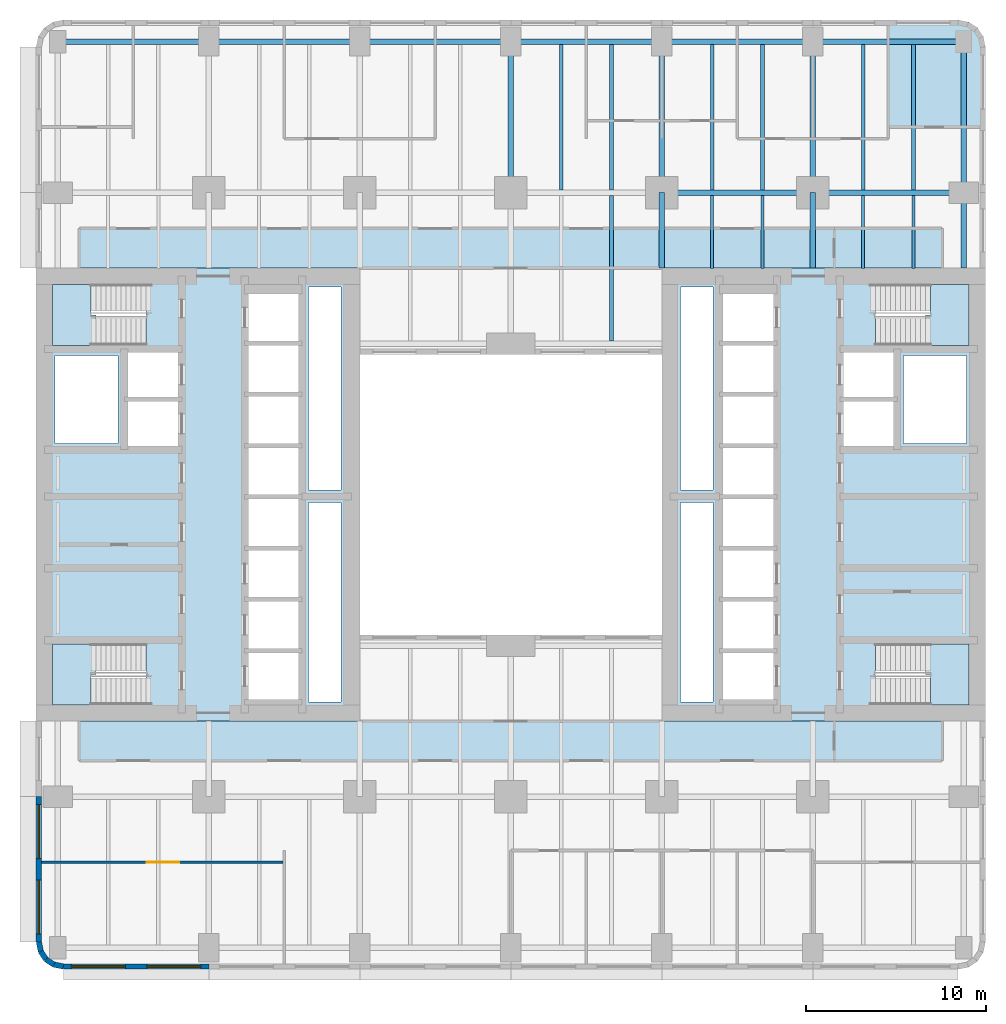
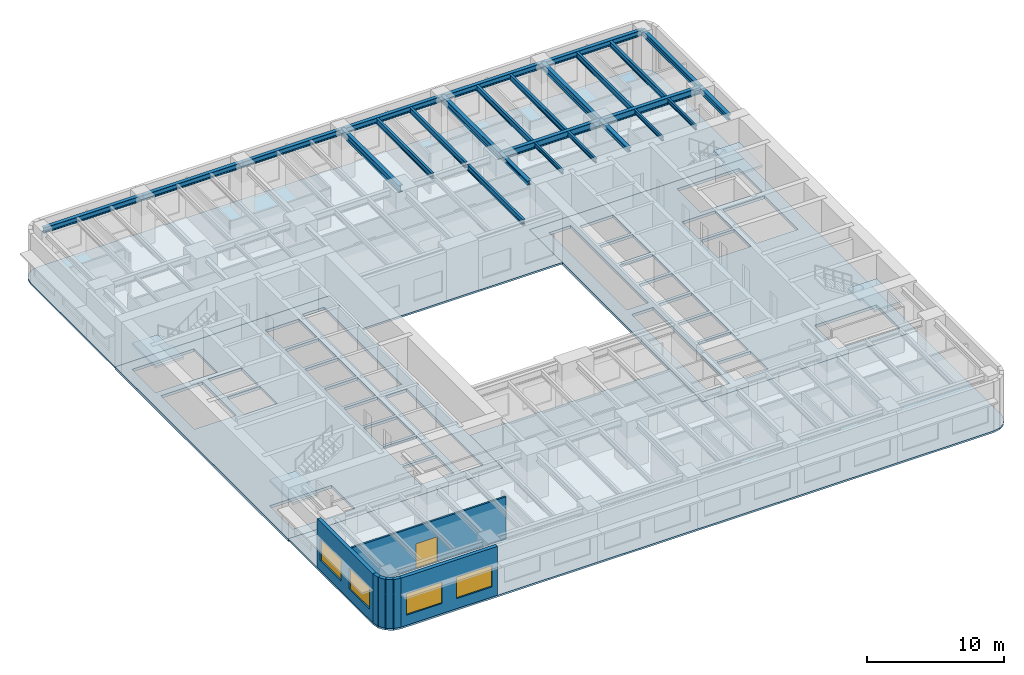
# One storey, part 2 of 14: 26 beams, 8 slabs, 7 walls, 4 windows, 1 door, 5 openings, 4 elements without a shape of their own.
"""IFC4 building model written with IfcOpenShell, lengths in metres."""

import ifcopenshell
import ifcopenshell.guid

model = None  # the IFC model being written
_history = None  # IfcOwnerHistory: only IFC2X3 demands one
_inside = {}  # id of a spatial element -> (the spatial element, [elements in it])
_under = {}  # id of a project, library or spatial element -> (it, [spatial elements below it])
_declared = {}  # id of a project -> (the project, [libraries it declares])
_typed = {}  # id of a type object -> (the type object, [elements of that type])
_made_of = {}  # id of a material, layer set ... -> (it, [elements and type objects made of it])


def new_model(schema):
    """Start an empty IFC model of exactly this schema.

    Asked for "IFC4X3", IfcOpenShell would pick the latest addendum, in which some entities
    have other attributes; the version numbers below select the first issue.
    IFC2X3 requires an IfcOwnerHistory on every rooted entity: one is made here for all.
    """
    global model, _history
    if schema == "IFC4X3":
        model = ifcopenshell.file(schema_version=(4, 3, 0, 0))
    else:
        model = ifcopenshell.file(schema=schema)
    _inside.clear()
    _under.clear()
    _declared.clear()
    _typed.clear()
    _made_of.clear()
    _history = None
    if model.schema == "IFC2X3":
        org = make("IfcOrganization", Name="unknown")
        user = make(
            "IfcPersonAndOrganization",
            ThePerson=make("IfcPerson", FamilyName="unknown"),
            TheOrganization=org,
        )
        app = make(
            "IfcApplication",
            ApplicationDeveloper=org,
            Version="unknown",
            ApplicationFullName="unknown",
            ApplicationIdentifier="unknown",
        )
        _history = make(
            "IfcOwnerHistory",
            OwningUser=user,
            OwningApplication=app,
            ChangeAction="ADDED",
            CreationDate=0,
        )
    return model


def make(cls, **values):
    """One entity of the class cls with the attributes given. An attribute that is None is left unset."""
    return model.create_entity(
        cls, **{name: value for name, value in values.items() if value is not None}
    )


def rooted(cls, **values):
    """An entity with a GlobalId (a new one), such as an element, a storey or a relation."""
    return make(cls, GlobalId=ifcopenshell.guid.new(), OwnerHistory=_history, **values)


def si_unit(unit_type, name, prefix=None):
    """IfcSIUnit, for example si_unit("LENGTHUNIT", "METRE", prefix="MILLI")."""
    return make("IfcSIUnit", UnitType=unit_type, Prefix=prefix, Name=name)


def assignment(units):
    """IfcUnitAssignment: the units of a project."""
    return None if units is None else make("IfcUnitAssignment", Units=units)


def point(xyz):
    """IfcCartesianPoint."""
    return None if xyz is None else make("IfcCartesianPoint", Coordinates=xyz)


def direction(xyz):
    """IfcDirection."""
    return None if xyz is None else make("IfcDirection", DirectionRatios=xyz)


def frame(location, z_axis=None, x_axis=None):
    """IfcAxis2Placement3D, a coordinate frame: its origin and axes. An axis left out is left unset."""
    return make(
        "IfcAxis2Placement3D",
        Location=point(location),
        Axis=direction(z_axis),
        RefDirection=direction(x_axis),
    )


def frame_2d(location, x_axis=None):
    """IfcAxis2Placement2D, a coordinate frame in the plane: its origin and x axis."""
    return make(
        "IfcAxis2Placement2D", Location=point(location), RefDirection=direction(x_axis)
    )


def origin():
    """The frame at (0, 0, 0) with its axes left unset."""
    return frame((0.0, 0.0, 0.0))


def origin_2d():
    """The frame at (0, 0) in the plane with its x axis left unset."""
    return frame_2d((0.0, 0.0))


def place(relative_to, where):
    """IfcLocalPlacement: puts the frame where relative to a parent placement (None: the world)."""
    return make(
        "IfcLocalPlacement", PlacementRelTo=relative_to, RelativePlacement=where
    )


def context(
    kind, dimensions, precision=None, world=None, true_north=None, identifier=None
):
    """IfcGeometricRepresentationContext, for example the 3D "Model" context."""
    return make(
        "IfcGeometricRepresentationContext",
        ContextIdentifier=identifier,
        ContextType=kind,
        CoordinateSpaceDimension=dimensions,
        Precision=precision,
        WorldCoordinateSystem=world,
        TrueNorth=true_north,
    )


def subcontext(parent, identifier, kind, view, scale=None):
    """IfcGeometricRepresentationSubContext, for example "Body" below "Model"."""
    return make(
        "IfcGeometricRepresentationSubContext",
        ContextIdentifier=identifier,
        ContextType=kind,
        ParentContext=parent,
        TargetScale=scale,
        TargetView=view,
    )


def project(units=None, contexts=None):
    """IfcProject with its units and contexts."""
    return rooted(
        "IfcProject",
        Name="project",
        RepresentationContexts=contexts,
        UnitsInContext=assignment(units),
    )


def spatial(cls, under=None, at=None, **own):
    """A site, building, storey or space (cls), placed at a placement, below another one or the project."""
    s = rooted(cls, ObjectPlacement=at, **own)
    if under is not None:
        _under.setdefault(under.id(), (under, []))[1].append(s)
    return s


def polyline(points):
    """IfcPolyline through the points."""
    return make("IfcPolyline", Points=[point(p) for p in points])


def profile(cls, at=None, kind="AREA", **sizes):
    """A parametric profile (cls). Its sizes go by their IFC names, for example OverallWidth=200.0."""
    return make(cls, ProfileType=kind, Position=at, **sizes)


def rectangle(**sizes):
    """IfcRectangleProfileDef."""
    return profile("IfcRectangleProfileDef", **sizes)


def i_section(**sizes):
    """IfcIShapeProfileDef."""
    return profile("IfcIShapeProfileDef", **sizes)


def outline(outer, holes=None, kind="AREA"):
    """IfcArbitraryClosedProfileDef: a profile drawn as a closed curve; with holes, ...WithVoids."""
    if holes is None:
        return make("IfcArbitraryClosedProfileDef", ProfileType=kind, OuterCurve=outer)
    return make(
        "IfcArbitraryProfileDefWithVoids",
        ProfileType=kind,
        OuterCurve=outer,
        InnerCurves=holes,
    )


def extrude(swept, where, along, depth):
    """IfcExtrudedAreaSolid: the profile swept, set in the frame where, extruded along a direction by depth."""
    return make(
        "IfcExtrudedAreaSolid",
        SweptArea=swept,
        Position=where,
        ExtrudedDirection=direction(along),
        Depth=depth,
    )


def shape(context_of_items, identifier, shape_type, items):
    """IfcShapeRepresentation: the items that make up one representation, for example the "Body"."""
    return make(
        "IfcShapeRepresentation",
        ContextOfItems=context_of_items,
        RepresentationIdentifier=identifier,
        RepresentationType=shape_type,
        Items=items,
    )


def material(Name=None, Category=None):
    """IfcMaterial."""
    return make("IfcMaterial", Name=Name, Category=Category)


def layer(
    of_material, thickness, ventilated=None, Name=None, Category=None, Priority=None
):
    """IfcMaterialLayer: one layer of a wall or slab, of a material (None: an air gap)."""
    return make(
        "IfcMaterialLayer",
        Material=of_material,
        LayerThickness=thickness,
        IsVentilated=ventilated,
        Name=Name,
        Category=Category,
        Priority=Priority,
    )


def layer_set(layers, Name=None):
    """IfcMaterialLayerSet."""
    return make("IfcMaterialLayerSet", MaterialLayers=layers, LayerSetName=Name)


def material_profile(
    of_material, cross_section, Name=None, Category=None, Priority=None
):
    """IfcMaterialProfile: a cross section and its material."""
    return make(
        "IfcMaterialProfile",
        Name=Name,
        Material=of_material,
        Profile=cross_section,
        Priority=Priority,
        Category=Category,
    )


def profile_set(profiles, Name=None, composite=None):
    """IfcMaterialProfileSet."""
    return make(
        "IfcMaterialProfileSet",
        Name=Name,
        MaterialProfiles=profiles,
        CompositeProfile=composite,
    )


def made_of(thing, what):
    """Note that an element or type object is made of a material, layer set ...; save() writes the relation."""
    if what is not None:
        _made_of.setdefault(what.id(), (what, []))[1].append(thing)
    return thing


def type_object(cls, material=None, **own):
    """A type object (cls), such as IfcWallType, which elements share."""
    return made_of(rooted(cls, **own), material)


def element(
    cls,
    number,
    at=None,
    inside=None,
    cuts=None,
    type_object=None,
    material=None,
    context=None,
    identifier="Body",
    shape_type=None,
    held_by="IfcProductDefinitionShape",
    body=None,
    shapes=None,
    **own,
):
    """One element of the class cls, such as IfcWall. Its Tag is "e" and its number.

    at: its placement. inside: the storey or other place that contains it. cuts: it is an
    opening in that element (IfcRelVoidsElement). A single representation is given by context,
    identifier, shape_type and body (its items); several are given by shapes. held_by: the class
    of the entity that holds the representations. save() writes the other relations.
    """
    e = rooted(cls, Tag="e%d" % number, ObjectPlacement=at, **own)
    if body is not None:
        shapes = [shape(context, identifier, shape_type, body)]
    if shapes is not None:
        e.Representation = make(held_by, Representations=shapes)
    if inside is not None:
        _inside.setdefault(inside.id(), (inside, []))[1].append(e)
    if cuts is not None:
        rooted(
            "IfcRelVoidsElement", RelatingBuildingElement=cuts, RelatedOpeningElement=e
        )
    if type_object is not None:
        _typed.setdefault(type_object.id(), (type_object, []))[1].append(e)
    return made_of(e, material)


def fill(opening, filler):
    """IfcRelFillsElement: the door or window that sits in an opening."""
    return rooted(
        "IfcRelFillsElement",
        RelatingOpeningElement=opening,
        RelatedBuildingElement=filler,
    )


def aggregate(whole, parts):
    """IfcRelAggregates: a whole, such as a stair, and the parts it consists of."""
    return rooted("IfcRelAggregates", RelatingObject=whole, RelatedObjects=parts)


def save(model, path):
    """Write the relations noted so far, then the file.

    IfcRelAggregates (storeys below a building ...), IfcRelContainedInSpatialStructure (elements
    in a storey), IfcRelDefinesByType, IfcRelAssociatesMaterial and IfcRelDeclares: one each for
    every whole, place, type object, material and project.
    """
    for whole, parts in _under.values():
        aggregate(whole, parts)
    for where, things in _inside.values():
        rooted(
            "IfcRelContainedInSpatialStructure",
            RelatedElements=things,
            RelatingStructure=where,
        )
    for kind, things in _typed.values():
        rooted("IfcRelDefinesByType", RelatedObjects=things, RelatingType=kind)
    for what, things in _made_of.values():
        rooted("IfcRelAssociatesMaterial", RelatedObjects=things, RelatingMaterial=what)
    for by, libraries in _declared.values():
        rooted("IfcRelDeclares", RelatingContext=by, RelatedDefinitions=libraries)
    model.write(path)


model = new_model("IFC4")

# Units and contexts
model_context = context("Model", 3, precision=1e-05, world=origin(), true_north=direction((0.0, 1.0)))
body_context = subcontext(model_context, "Body", "Model", "MODEL_VIEW")
ifc_project = project(units=[si_unit("LENGTHUNIT", "METRE"), si_unit("AREAUNIT", "SQUARE_METRE"), si_unit("VOLUMEUNIT", "CUBIC_METRE"), si_unit("PLANEANGLEUNIT", "RADIAN"), si_unit("MASSUNIT", "GRAM", prefix="KILO")], contexts=[model_context])

# Site, building, storey
site_placement = place(None, origin())
site = spatial("IfcSite", under=ifc_project, at=site_placement, CompositionType="ELEMENT")
building_placement = place(site_placement, origin())
building = spatial("IfcBuilding", under=site, at=building_placement, Name="Claustro Exchange Tower", CompositionType="ELEMENT")
storey_placement = place(building_placement, frame((0.0, 0.0, 41.39990234375)))
storey = spatial("IfcBuildingStorey", under=building, at=storey_placement, Name="L09", CompositionType="ELEMENT", Elevation=41.39990234375)

# Beams
ifc_material_1 = material(Name="Steel S355", Category="steel")
ifc_material_profile_1 = material_profile(ifc_material_1, i_section(OverallWidth=0.300048828125, OverallDepth=0.60009765625, WebThickness=0.015380859375, FlangeThickness=0.030029296875, FilletRadius=0.027099609375, at=origin_2d()), Name="HE 600 B")
ifc_profile_set_1 = profile_set([ifc_material_profile_1], Name="Steel S355")
beam_type_1 = type_object("IfcBeamType", Name="B1 HE 600 B floor girder", PredefinedType="BEAM", material=ifc_profile_set_1)
for number, where, z_axis, x_axis, name in (
    (1, (25.199951171875, 42.0, 4.0400390625), (0.0, 1.0, 0.0), (-1.0, 0.0, 0.0), "Beam B1 L10"),
    (2, (33.60009765625, 42.0, 4.0400390625), (0.0, 1.0, 0.0), (-1.0, 0.0, 0.0), "Beam B1 L10"),
    (3, (42.0, 42.0, 4.0400390625), (0.0, 1.0, 0.0), (-1.0, 0.0, 0.0), "Beam B1 L10"),
    (4, (33.60009765625, 42.0, 4.0400390625), (1.0, 0.0, 0.0), (0.0, 1.0, 0.0), "Beam B1 L10"),
    (5, (42.0, 42.0, 4.0400390625), (1.0, 0.0, 0.0), (0.0, 1.0, 0.0), "Beam B1 L10"),
):
    element("IfcBeam", number, at=place(storey_placement, frame(where, z_axis=z_axis, x_axis=x_axis)), inside=storey, type_object=beam_type_1, Name=name, PredefinedType="BEAM", context=body_context, shape_type="SweptSolid", body=[
        extrude(i_section(OverallWidth=0.300048828125, OverallDepth=0.60009765625, WebThickness=0.015380859375, FlangeThickness=0.030029296875, FilletRadius=0.027099609375, at=origin_2d()), origin(), (0.0, 0.0, 1.0), 8.39990234375),
    ])
ifc_material_2 = material(Name="Steel S355", Category="steel")
ifc_material_profile_2 = material_profile(ifc_material_2, i_section(OverallWidth=0.169921875, OverallDepth=0.360107421875, WebThickness=0.008056640625, FlangeThickness=0.0126953125, FilletRadius=0.01806640625, at=origin_2d()), Name="IPE 360")
ifc_profile_set_2 = profile_set([ifc_material_profile_2], Name="Steel S355")
beam_type_2 = type_object("IfcBeamType", Name="B16 IPE 360 short-span beam", PredefinedType="BEAM", material=ifc_profile_set_2)
for number, where, z_axis, x_axis, name in (
    (6, (36.39990234375, 37.7900390625, 4.16015625), (0.0, 1.0, 0.0), (-1.0, 0.0, 0.0), "Beam B16 L10"),
    (7, (39.199951171875, 37.7900390625, 4.16015625), (0.0, 1.0, 0.0), (-1.0, 0.0, 0.0), "Beam B16 L10"),
    (8, (44.800048828125, 37.7900390625, 4.16015625), (0.0, 1.0, 0.0), (-1.0, 0.0, 0.0), "Beam B16 L10"),
    (9, (47.60009765625, 37.7900390625, 4.16015625), (0.0, 1.0, 0.0), (-1.0, 0.0, 0.0), "Beam B16 L10"),
):
    element("IfcBeam", number, at=place(storey_placement, frame(where, z_axis=z_axis, x_axis=x_axis)), inside=storey, type_object=beam_type_2, Name=name, PredefinedType="BEAM", context=body_context, shape_type="SweptSolid", body=[
        extrude(i_section(OverallWidth=0.169921875, OverallDepth=0.360107421875, WebThickness=0.008056640625, FlangeThickness=0.0126953125, FilletRadius=0.01806640625, at=origin_2d()), origin(), (0.0, 0.0, 1.0), 4.06005859375),
    ])
ifc_material_3 = material(Name="Steel S355", Category="steel")
ifc_material_profile_3 = material_profile(ifc_material_3, i_section(OverallWidth=0.199951171875, OverallDepth=0.5, WebThickness=0.01025390625, FlangeThickness=0.01611328125, FilletRadius=0.02099609375, at=origin_2d()), Name="IPE 500")
ifc_profile_set_3 = profile_set([ifc_material_profile_3], Name="Steel S355")
beam_type_3 = type_object("IfcBeamType", Name="B2 IPE 500 secondary beam", PredefinedType="BEAM", material=ifc_profile_set_3)
for number, where, z_axis, x_axis, name in (
    (10, (30.800048828125, 33.75, 4.090087890625), (0.0, 1.0, 0.0), (-1.0, 0.0, 0.0), "Beam B2 L10"),
    (11, (28.0, 42.14990234375, 4.090087890625), (0.0, 1.0, 0.0), (-1.0, 0.0, 0.0), "Beam B2 L10"),
    (12, (30.800048828125, 42.14990234375, 4.090087890625), (0.0, 1.0, 0.0), (-1.0, 0.0, 0.0), "Beam B2 L10"),
    (13, (36.39990234375, 42.14990234375, 4.090087890625), (0.0, 1.0, 0.0), (-1.0, 0.0, 0.0), "Beam B2 L10"),
    (14, (39.199951171875, 42.14990234375, 4.090087890625), (0.0, 1.0, 0.0), (-1.0, 0.0, 0.0), "Beam B2 L10"),
    (15, (44.800048828125, 42.14990234375, 4.090087890625), (0.0, 1.0, 0.0), (-1.0, 0.0, 0.0), "Beam B2 L10"),
    (16, (47.60009765625, 42.14990234375, 4.090087890625), (0.0, 1.0, 0.0), (-1.0, 0.0, 0.0), "Beam B2 L10"),
):
    element("IfcBeam", number, at=place(storey_placement, frame(where, z_axis=z_axis, x_axis=x_axis)), inside=storey, type_object=beam_type_3, Name=name, PredefinedType="BEAM", context=body_context, shape_type="SweptSolid", body=[
        extrude(i_section(OverallWidth=0.199951171875, OverallDepth=0.5, WebThickness=0.01025390625, FlangeThickness=0.01611328125, FilletRadius=0.02099609375, at=origin_2d()), origin(), (0.0, 0.0, 1.0), 8.10009765625),
    ])
ifc_material_4 = material(Name="Steel S355", Category="steel")
ifc_material_profile_4 = material_profile(ifc_material_4, i_section(OverallWidth=0.300048828125, OverallDepth=0.360107421875, WebThickness=0.012451171875, FlangeThickness=0.0224609375, FilletRadius=0.027099609375, at=origin_2d()), Name="HE 360 B")
ifc_profile_set_4 = profile_set([ifc_material_profile_4], Name="Steel S355")
beam_type_4 = type_object("IfcBeamType", Name="B29 HE 360 B column to core link beam", PredefinedType="BEAM", material=ifc_profile_set_4)
for number, where, z_axis, x_axis, name in (
    (17, (33.60009765625, 37.800048828125, 4.16015625), (0.0, 1.0, 0.0), (-1.0, 0.0, 0.0), "Beam B29 L10"),
    (18, (42.0, 37.800048828125, 4.16015625), (0.0, 1.0, 0.0), (-1.0, 0.0, 0.0), "Beam B29 L10"),
):
    element("IfcBeam", number, at=place(storey_placement, frame(where, z_axis=z_axis, x_axis=x_axis)), inside=storey, type_object=beam_type_4, Name=name, PredefinedType="BEAM", context=body_context, shape_type="SweptSolid", body=[
        extrude(i_section(OverallWidth=0.300048828125, OverallDepth=0.360107421875, WebThickness=0.012451171875, FlangeThickness=0.0224609375, FilletRadius=0.027099609375, at=origin_2d()), origin(), (0.0, 0.0, 1.0), 4.199951171875),
    ])
ifc_material_5 = material(Name="Steel S355", Category="steel")
ifc_material_profile_5 = material_profile(ifc_material_5, i_section(OverallWidth=0.300048828125, OverallDepth=0.5, WebThickness=0.014404296875, FlangeThickness=0.028076171875, FilletRadius=0.027099609375, at=origin_2d()), Name="HE 500 B")
ifc_profile_set_5 = profile_set([ifc_material_profile_5], Name="Steel S355")
beam_type_5 = type_object("IfcBeamType", Name="B3 HE 500 B spandrel edge girder", PredefinedType="SPANDREL", material=ifc_profile_set_5)
beam_1_placement = place(storey_placement, frame((50.39990234375, 37.800048828125, 4.090087890625), z_axis=(0.0, 1.0, 0.0), x_axis=(-1.0, 0.0, 0.0)))
element("IfcBeam", 19, at=beam_1_placement, inside=storey, type_object=beam_type_5, Name="Beam B3 L10", PredefinedType="SPANDREL", context=body_context, shape_type="SweptSolid", body=[
    extrude(i_section(OverallWidth=0.300048828125, OverallDepth=0.5, WebThickness=0.014404296875, FlangeThickness=0.028076171875, FilletRadius=0.027099609375, at=origin_2d()), origin(), (0.0, 0.0, 1.0), 4.199951171875),
])
for number, where, z_axis, x_axis, name in (
    (20, (50.39990234375, 42.0, 4.090087890625), (0.0, 1.0, 0.0), (-1.0, 0.0, 0.0), "Beam B3 L10"),
    (21, (0.0, 50.39990234375, 4.090087890625), (1.0, 0.0, 0.0), (0.0, 1.0, 0.0), "Beam B3 L10"),
):
    element("IfcBeam", number, at=place(storey_placement, frame(where, z_axis=z_axis, x_axis=x_axis)), inside=storey, type_object=beam_type_5, Name=name, PredefinedType="SPANDREL", context=body_context, shape_type="SweptSolid", body=[
        extrude(i_section(OverallWidth=0.300048828125, OverallDepth=0.5, WebThickness=0.014404296875, FlangeThickness=0.028076171875, FilletRadius=0.027099609375, at=origin_2d()), origin(), (0.0, 0.0, 1.0), 8.39990234375),
    ])
beam_2_placement = place(storey_placement, frame((8.39990234375, 50.39990234375, 4.090087890625), z_axis=(1.0, 0.0, 0.0), x_axis=(0.0, 1.0, 0.0)))
element("IfcBeam", 22, at=beam_2_placement, inside=storey, type_object=beam_type_5, Name="Beam B3 L10", PredefinedType="SPANDREL", context=body_context, shape_type="SweptSolid", body=[
    extrude(i_section(OverallWidth=0.300048828125, OverallDepth=0.5, WebThickness=0.014404296875, FlangeThickness=0.028076171875, FilletRadius=0.027099609375, at=origin_2d()), origin(), (0.0, 0.0, 1.0), 8.400146484375),
])
beam_3_placement = place(storey_placement, frame((16.800048828125, 50.39990234375, 4.090087890625), z_axis=(1.0, 0.0, 0.0), x_axis=(0.0, 1.0, 0.0)))
element("IfcBeam", 23, at=beam_3_placement, inside=storey, type_object=beam_type_5, Name="Beam B3 L10", PredefinedType="SPANDREL", context=body_context, shape_type="SweptSolid", body=[
    extrude(i_section(OverallWidth=0.300048828125, OverallDepth=0.5, WebThickness=0.014404296875, FlangeThickness=0.028076171875, FilletRadius=0.027099609375, at=origin_2d()), origin(), (0.0, 0.0, 1.0), 8.39990234375),
])
beam_4_placement = place(storey_placement, frame((25.199951171875, 50.39990234375, 4.090087890625), z_axis=(1.0, 0.0, 0.0), x_axis=(0.0, 1.0, 0.0)))
element("IfcBeam", 24, at=beam_4_placement, inside=storey, type_object=beam_type_5, Name="Beam B3 L10", PredefinedType="SPANDREL", context=body_context, shape_type="SweptSolid", body=[
    extrude(i_section(OverallWidth=0.300048828125, OverallDepth=0.5, WebThickness=0.014404296875, FlangeThickness=0.028076171875, FilletRadius=0.027099609375, at=origin_2d()), origin(), (0.0, 0.0, 1.0), 8.400146484375),
])
for number, where, z_axis, x_axis, name in (
    (25, (33.60009765625, 50.39990234375, 4.090087890625), (1.0, 0.0, 0.0), (0.0, 1.0, 0.0), "Beam B3 L10"),
    (26, (42.0, 50.39990234375, 4.090087890625), (1.0, 0.0, 0.0), (0.0, 1.0, 0.0), "Beam B3 L10"),
):
    element("IfcBeam", number, at=place(storey_placement, frame(where, z_axis=z_axis, x_axis=x_axis)), inside=storey, type_object=beam_type_5, Name=name, PredefinedType="SPANDREL", context=body_context, shape_type="SweptSolid", body=[
        extrude(i_section(OverallWidth=0.300048828125, OverallDepth=0.5, WebThickness=0.014404296875, FlangeThickness=0.028076171875, FilletRadius=0.027099609375, at=origin_2d()), origin(), (0.0, 0.0, 1.0), 8.39990234375),
    ])

# Slabs
ifc_material_6 = material(Name="Concrete HA-50 (C50/60)", Category="concrete")
ifc_layer_1 = layer(ifc_material_6, 0.159912109375)
ifc_layer_set_1 = layer_set([ifc_layer_1], Name="Concrete HA-50 (C50/60)")
slab_type_1 = type_object("IfcSlabType", Name="S1 160 composite floor slab", PredefinedType="FLOOR", material=ifc_layer_set_1)
slab_1_placement = place(storey_placement, frame((0.0, 0.0, -0.159912109375)))
element("IfcSlab", 27, at=slab_1_placement, inside=storey, type_object=slab_type_1, Name="Floor slab S1 S L09", PredefinedType="FLOOR", context=body_context, shape_type="SweptSolid", body=[
    extrude(outline(polyline([(-0.27392578125, -1.085693359375), (0.300048828125, -1.199951171875), (50.10009765625, -1.199951171875), (50.674072265625, -1.085693359375), (51.16064453125, -0.7607421875), (51.48583984375, -0.27392578125), (51.60009765625, 0.300048828125), (51.60009765625, 12.60009765625), (33.60009765625, 12.60009765625), (33.60009765625, 17.39990234375), (16.800048828125, 17.39990234375), (16.800048828125, 12.60009765625), (-1.199951171875, 12.60009765625), (-1.199951171875, 0.300048828125), (-1.085693359375, -0.27392578125), (-0.7607421875, -0.7607421875), (-0.27392578125, -1.085693359375)])), origin(), (0.0, 0.0, 1.0), 0.159912109375),
])
slab_2_placement = place(storey_placement, frame((0.0, 0.0, -0.159912109375)))
element("IfcSlab", 28, at=slab_2_placement, inside=storey, type_object=slab_type_1, Name="Floor slab S1 N L09", PredefinedType="FLOOR", context=body_context, shape_type="SweptSolid", body=[
    extrude(outline(polyline([(16.800048828125, 37.800048828125), (16.800048828125, 33.0), (33.60009765625, 33.0), (33.60009765625, 37.800048828125), (51.60009765625, 37.800048828125), (51.60009765625, 50.10009765625), (51.48583984375, 50.674072265625), (51.16064453125, 51.16064453125), (50.674072265625, 51.48583984375), (50.10009765625, 51.60009765625), (0.300048828125, 51.60009765625), (-0.27392578125, 51.48583984375), (-0.7607421875, 51.16064453125), (-1.085693359375, 50.674072265625), (-1.199951171875, 50.10009765625), (-1.199951171875, 37.800048828125), (16.800048828125, 37.800048828125)])), origin(), (0.0, 0.0, 1.0), 0.159912109375),
])
ifc_material_7 = material(Name="Concrete HA-50 (C50/60)", Category="concrete")
ifc_layer_2 = layer(ifc_material_7, 0.25)
ifc_layer_set_2 = layer_set([ifc_layer_2], Name="Concrete HA-50 (C50/60)")
slab_type_2 = type_object("IfcSlabType", Name="S7 250 core floor slab", PredefinedType="FLOOR", material=ifc_layer_set_2)
slab_3_placement = place(storey_placement, frame((0.0, 0.0, -0.25)))
element("IfcSlab", 29, at=slab_3_placement, inside=storey, type_object=slab_type_2, Name="Core floor slab S7 W core L09", PredefinedType="FLOOR", context=body_context, shape_type="SweptSolid", body=[
    extrude(outline(polyline([(-1.199951171875, 12.60009765625), (16.800048828125, 12.60009765625), (16.800048828125, 37.800048828125), (-1.199951171875, 37.800048828125), (-1.199951171875, 12.60009765625)]), holes=[polyline([(15.75, 24.75), (15.75, 13.64990234375), (13.949951171875, 13.64990234375), (13.949951171875, 24.75), (15.75, 24.75)]), polyline([(15.75, 36.75), (15.75, 25.449951171875), (13.949951171875, 25.449951171875), (13.949951171875, 36.75), (15.75, 36.75)]), polyline([(10.60009765625, 16.39990234375), (13.39990234375, 16.39990234375), (13.39990234375, 13.800048828125), (10.60009765625, 13.800048828125), (10.60009765625, 16.39990234375)]), polyline([(13.39990234375, 19.25), (13.39990234375, 16.64990234375), (10.60009765625, 16.64990234375), (10.60009765625, 19.25), (13.39990234375, 19.25)]), polyline([(13.39990234375, 22.10009765625), (13.39990234375, 19.5), (10.60009765625, 19.5), (10.60009765625, 22.10009765625), (13.39990234375, 22.10009765625)]), polyline([(13.39990234375, 24.949951171875), (13.39990234375, 22.35009765625), (10.60009765625, 22.35009765625), (10.60009765625, 24.949951171875), (13.39990234375, 24.949951171875)]), polyline([(13.39990234375, 27.800048828125), (13.39990234375, 25.199951171875), (10.60009765625, 25.199951171875), (10.60009765625, 27.800048828125), (13.39990234375, 27.800048828125)]), polyline([(13.39990234375, 30.64990234375), (13.39990234375, 28.050048828125), (10.60009765625, 28.050048828125), (10.60009765625, 30.64990234375), (13.39990234375, 30.64990234375)]), polyline([(13.39990234375, 33.5), (13.39990234375, 30.89990234375), (10.60009765625, 30.89990234375), (10.60009765625, 33.5), (13.39990234375, 33.5)]), polyline([(13.39990234375, 36.35009765625), (13.39990234375, 33.75), (10.60009765625, 33.75), (10.60009765625, 36.35009765625), (13.39990234375, 36.35009765625)]), polyline([(6.699951171875, 30.375), (6.699951171875, 27.89990234375), (3.89990234375, 27.89990234375), (3.89990234375, 30.375), (6.699951171875, 30.375)]), polyline([(6.699951171875, 33.10009765625), (6.699951171875, 30.625), (3.89990234375, 30.625), (3.89990234375, 33.10009765625), (6.699951171875, 33.10009765625)]), polyline([(-0.300048828125, 15.199951171875), (-0.300048828125, 16.89990234375), (4.9150390625, 16.89990234375), (4.9150390625, 15.199951171875), (4.919921875, 15.199951171875), (4.919921875, 13.5), (-0.300048828125, 13.5), (-0.300048828125, 15.199951171875)]), polyline([(-0.300048828125, 36.89990234375), (4.919921875, 36.89990234375), (4.919921875, 35.199951171875), (4.9150390625, 35.199951171875), (4.9150390625, 33.5), (-0.300048828125, 33.5), (-0.300048828125, 35.199951171875), (-0.300048828125, 36.89990234375)]), polyline([(3.35009765625, 32.949951171875), (3.35009765625, 28.050048828125), (-0.14990234375, 28.050048828125), (-0.14990234375, 32.949951171875), (3.35009765625, 32.949951171875)])]), origin(), (0.0, 0.0, 1.0), 0.25),
])
slab_4_placement = place(storey_placement, frame((0.0, 0.0, -0.25)))
element("IfcSlab", 30, at=slab_4_placement, inside=storey, type_object=slab_type_2, Name="Core floor slab S7 E core L09", PredefinedType="FLOOR", context=body_context, shape_type="SweptSolid", body=[
    extrude(outline(polyline([(33.60009765625, 12.60009765625), (51.60009765625, 12.60009765625), (51.60009765625, 37.800048828125), (33.60009765625, 37.800048828125), (33.60009765625, 12.60009765625)]), holes=[polyline([(45.47998046875, 35.199951171875), (45.47998046875, 36.89990234375), (50.699951171875, 36.89990234375), (50.699951171875, 35.199951171875), (50.699951171875, 33.5), (45.485107421875, 33.5), (45.485107421875, 35.199951171875), (45.47998046875, 35.199951171875)]), polyline([(45.485107421875, 15.199951171875), (45.485107421875, 16.89990234375), (50.699951171875, 16.89990234375), (50.699951171875, 15.199951171875), (50.699951171875, 13.5), (45.47998046875, 13.5), (45.47998046875, 15.199951171875), (45.485107421875, 15.199951171875)]), polyline([(50.550048828125, 32.949951171875), (50.550048828125, 28.050048828125), (47.050048828125, 28.050048828125), (47.050048828125, 32.949951171875), (50.550048828125, 32.949951171875)]), polyline([(46.5, 30.375), (46.5, 27.89990234375), (43.699951171875, 27.89990234375), (43.699951171875, 30.375), (46.5, 30.375)]), polyline([(46.5, 33.10009765625), (46.5, 30.625), (43.699951171875, 30.625), (43.699951171875, 33.10009765625), (46.5, 33.10009765625)]), polyline([(37.0, 16.39990234375), (39.800048828125, 16.39990234375), (39.800048828125, 13.800048828125), (37.0, 13.800048828125), (37.0, 16.39990234375)]), polyline([(39.800048828125, 19.25), (39.800048828125, 16.64990234375), (37.0, 16.64990234375), (37.0, 19.25), (39.800048828125, 19.25)]), polyline([(39.800048828125, 22.10009765625), (39.800048828125, 19.5), (37.0, 19.5), (37.0, 22.10009765625), (39.800048828125, 22.10009765625)]), polyline([(39.800048828125, 24.949951171875), (39.800048828125, 22.35009765625), (37.0, 22.35009765625), (37.0, 24.949951171875), (39.800048828125, 24.949951171875)]), polyline([(39.800048828125, 27.800048828125), (39.800048828125, 25.199951171875), (37.0, 25.199951171875), (37.0, 27.800048828125), (39.800048828125, 27.800048828125)]), polyline([(39.800048828125, 30.64990234375), (39.800048828125, 28.050048828125), (37.0, 28.050048828125), (37.0, 30.64990234375), (39.800048828125, 30.64990234375)]), polyline([(39.800048828125, 33.5), (39.800048828125, 30.89990234375), (37.0, 30.89990234375), (37.0, 33.5), (39.800048828125, 33.5)]), polyline([(39.800048828125, 36.35009765625), (39.800048828125, 33.75), (37.0, 33.75), (37.0, 36.35009765625), (39.800048828125, 36.35009765625)]), polyline([(36.449951171875, 24.75), (36.449951171875, 13.64990234375), (34.64990234375, 13.64990234375), (34.64990234375, 24.75), (36.449951171875, 24.75)]), polyline([(36.449951171875, 36.75), (36.449951171875, 25.449951171875), (34.64990234375, 25.449951171875), (34.64990234375, 36.75), (36.449951171875, 36.75)])]), origin(), (0.0, 0.0, 1.0), 0.25),
])

# Stair, slab
ifc_material_8 = material(Name="Concrete HA-30 (C30/37), precast", Category="concrete")
stair_type = type_object("IfcStairType", Name="ST2 half-turn stair, 25 risers of 180", PredefinedType="HALF_TURN_STAIR", material=ifc_material_8)
stair_1_placement = place(storey_placement, origin())
stair_1 = element("IfcStair", 31, at=stair_1_placement, inside=storey, type_object=stair_type, Name="Stair STWA L09", PredefinedType="HALF_TURN_STAIR")
ifc_material_9 = material(Name="Concrete HA-30 (C30/37), precast", Category="concrete")
ifc_layer_3 = layer(ifc_material_9, 0.199951171875)
ifc_layer_set_3 = layer_set([ifc_layer_3], Name="Concrete HA-30 (C30/37), precast")
slab_type_3 = type_object("IfcSlabType", Name="S9 200 stair landing", PredefinedType="LANDING", material=ifc_layer_set_3)
slab_5_placement = place(storey_placement, frame((0.0, 0.0, 2.14013671875)))
slab_5 = element("IfcSlab", 32, at=slab_5_placement, type_object=slab_type_3, Name="STWA landing 1", PredefinedType="LANDING", context=body_context, shape_type="SweptSolid", body=[
    extrude(outline(polyline([(1.844970703125, 13.5), (-0.300048828125, 13.5), (-0.300048828125, 16.89990234375), (1.840087890625, 16.89990234375), (1.844970703125, 16.89990234375), (2.1201171875, 16.89990234375), (2.1201171875, 15.199951171875), (1.844970703125, 15.199951171875), (1.844970703125, 13.5)])), origin(), (0.0, 0.0, 1.0), 0.199951171875),
])
aggregate(stair_1, [slab_5])

stair_2_placement = place(storey_placement, origin())
stair_2 = element("IfcStair", 33, at=stair_2_placement, inside=storey, type_object=stair_type, Name="Stair STWB L09", PredefinedType="HALF_TURN_STAIR")
slab_6_placement = place(storey_placement, frame((0.0, 0.0, 2.14013671875)))
slab_6 = element("IfcSlab", 34, at=slab_6_placement, type_object=slab_type_3, Name="STWB landing 1", PredefinedType="LANDING", context=body_context, shape_type="SweptSolid", body=[
    extrude(outline(polyline([(2.1201171875, 35.199951171875), (2.1201171875, 33.5), (1.844970703125, 33.5), (1.840087890625, 33.5), (-0.300048828125, 33.5), (-0.300048828125, 36.89990234375), (1.844970703125, 36.89990234375), (1.844970703125, 35.199951171875), (2.1201171875, 35.199951171875)])), origin(), (0.0, 0.0, 1.0), 0.199951171875),
])
aggregate(stair_2, [slab_6])

stair_3_placement = place(storey_placement, origin())
stair_3 = element("IfcStair", 35, at=stair_3_placement, inside=storey, type_object=stair_type, Name="Stair STEA L09", PredefinedType="HALF_TURN_STAIR")
slab_7_placement = place(storey_placement, frame((0.0, 0.0, 2.14013671875)))
slab_7 = element("IfcSlab", 36, at=slab_7_placement, type_object=slab_type_3, Name="STEA landing 1", PredefinedType="LANDING", context=body_context, shape_type="SweptSolid", body=[
    extrude(outline(polyline([(50.699951171875, 16.89990234375), (50.699951171875, 13.5), (48.554931640625, 13.5), (48.554931640625, 15.199951171875), (48.280029296875, 15.199951171875), (48.280029296875, 16.89990234375), (48.554931640625, 16.89990234375), (48.56005859375, 16.89990234375), (50.699951171875, 16.89990234375)])), origin(), (0.0, 0.0, 1.0), 0.199951171875),
])
aggregate(stair_3, [slab_7])

stair_4_placement = place(storey_placement, origin())
stair_4 = element("IfcStair", 37, at=stair_4_placement, inside=storey, type_object=stair_type, Name="Stair STEB L09", PredefinedType="HALF_TURN_STAIR")
slab_8_placement = place(storey_placement, frame((0.0, 0.0, 2.14013671875)))
slab_8 = element("IfcSlab", 38, at=slab_8_placement, type_object=slab_type_3, Name="STEB landing 1", PredefinedType="LANDING", context=body_context, shape_type="SweptSolid", body=[
    extrude(outline(polyline([(48.280029296875, 33.5), (48.280029296875, 35.199951171875), (48.554931640625, 35.199951171875), (48.554931640625, 36.89990234375), (50.699951171875, 36.89990234375), (50.699951171875, 33.5), (48.56005859375, 33.5), (48.554931640625, 33.5), (48.280029296875, 33.5)])), origin(), (0.0, 0.0, 1.0), 0.199951171875),
])
aggregate(stair_4, [slab_8])

# Wall, opening, door
ifc_material_10 = material(Name="Gypsum board on steel studs", Category="steel")
ifc_layer_4 = layer(ifc_material_10, 0.14990234375)
ifc_layer_set_4 = layer_set([ifc_layer_4], Name="Gypsum board on steel studs")
wall_type_1 = type_object("IfcWallType", Name="P1 150 plasterboard partition", PredefinedType="PARTITIONING", material=ifc_layer_set_4)
wall_1_placement = place(storey_placement, frame((-0.902099609375, 4.75, 0.0), z_axis=(0.0, 0.0, 1.0), x_axis=(1.0, 0.0, 0.0)))
wall_1 = element("IfcWall", 39, at=wall_1_placement, inside=storey, type_object=wall_type_1, Name="Partition P1 L09", PredefinedType="PARTITIONING", context=body_context, shape_type="SweptSolid", body=[
    extrude(rectangle(XDim=13.427978515625, YDim=0.14990234375, at=frame_2d((6.7138671875, 0.0))), origin(), (0.0, 0.0, 1.0), 3.739990234375),
])
opening_1_placement = place(wall_1_placement, frame((5.85205078125, 0.0, 0.0)))
opening_1 = element("IfcOpeningElement", 40, at=opening_1_placement, cuts=wall_1, Name="Opening D2", PredefinedType="OPENING", context=body_context, shape_type="SweptSolid", body=[
    extrude(rectangle(XDim=1.800048828125, YDim=2.199951171875, at=frame_2d((0.89990234375, 1.10009765625))), frame((0.0, 0.0849609375, 0.0), z_axis=(0.0, -1.0, 0.0), x_axis=(1.0, 0.0, 0.0)), (0.0, 0.0, 1.0), 0.169921875),
])
ifc_material_11 = material(Name="Timber door, oak veneer", Category="wood")
door_type = type_object("IfcDoorType", Name="D2 1800 x 2200 double door", OperationType="DOUBLE_DOOR_SINGLE_SWING", PredefinedType="DOOR", material=ifc_material_11)
door_placement = place(opening_1_placement, origin())
door = element("IfcDoor", 41, at=door_placement, inside=storey, type_object=door_type, Name="Double door D2 L09", OperationType="DOUBLE_DOOR_SINGLE_SWING", OverallHeight=2.199951171875, OverallWidth=1.800048828125, PredefinedType="DOOR", context=body_context, shape_type="SweptSolid", body=[
    extrude(rectangle(XDim=1.800048828125, YDim=2.199951171875, at=frame_2d((0.89990234375, 1.10009765625))), frame((0.0, 0.02490234375, 0.0), z_axis=(0.0, -1.0, 0.0), x_axis=(1.0, 0.0, 0.0)), (0.0, 0.0, 1.0), 0.050048828125),
])
fill(opening_1, door)

# Wall, openings, windows
ifc_material_12 = material(Name="Concrete HA-40 (C40/50), precast, white cement, acid-etched", Category="concrete")
ifc_layer_5 = layer(ifc_material_12, 0.300048828125)
ifc_layer_set_5 = layer_set([ifc_layer_5], Name="Concrete HA-40 (C40/50), precast, white cement, acid-etched")
wall_type_2 = type_object("IfcWallType", Name="PC1 300 precast concrete pier panel", PredefinedType="SOLIDWALL", material=ifc_layer_set_5)
wall_2_placement = place(storey_placement, frame((8.39990234375, -1.050048828125, 0.0), z_axis=(0.0, 0.0, 1.0), x_axis=(-1.0, 0.0, 0.0)))
wall_2 = element("IfcWall", 42, at=wall_2_placement, inside=storey, type_object=wall_type_2, Name="Precast pier panel PC1 L09", PredefinedType="SOLIDWALL", context=body_context, shape_type="SweptSolid", body=[
    extrude(rectangle(XDim=8.085205078125, YDim=0.300048828125, at=frame_2d((4.04248046875, 0.0))), origin(), (0.0, 0.0, 1.0), 4.340087890625),
])
opening_2_placement = place(wall_2_placement, frame((0.442626953125, 0.0, 0.89990234375)))
opening_2 = element("IfcOpeningElement", 43, at=opening_2_placement, cuts=wall_2, Name="Opening W1", PredefinedType="OPENING", context=body_context, shape_type="SweptSolid", body=[
    extrude(rectangle(XDim=3.0, YDim=1.89990234375, at=frame_2d((1.5, 0.949951171875))), frame((0.0, 0.159912109375, 0.0), z_axis=(0.0, -1.0, 0.0), x_axis=(1.0, 0.0, 0.0)), (0.0, 0.0, 1.0), 0.320068359375),
])
opening_3_placement = place(wall_2_placement, frame((4.642578125, 0.0, 0.89990234375)))
opening_3 = element("IfcOpeningElement", 44, at=opening_3_placement, cuts=wall_2, Name="Opening W1", PredefinedType="OPENING", context=body_context, shape_type="SweptSolid", body=[
    extrude(rectangle(XDim=3.0, YDim=1.89990234375, at=frame_2d((1.5, 0.949951171875))), frame((0.0, 0.159912109375, 0.0), z_axis=(0.0, -1.0, 0.0), x_axis=(1.0, 0.0, 0.0)), (0.0, 0.0, 1.0), 0.320068359375),
])
ifc_material_13 = material(Name="Aluminium frame, clear double glazing", Category="aluminium")
window_type = type_object("IfcWindowType", Name="W1 3000 x 1900 window", PartitioningType="SINGLE_PANEL", PredefinedType="WINDOW", material=ifc_material_13)
window_1_placement = place(opening_2_placement, origin())
window_1 = element("IfcWindow", 45, at=window_1_placement, inside=storey, type_object=window_type, Name="Window W1 L09", OverallHeight=1.89990234375, OverallWidth=3.0, PartitioningType="SINGLE_PANEL", PredefinedType="WINDOW", context=body_context, shape_type="SweptSolid", body=[
    extrude(rectangle(XDim=3.0, YDim=1.89990234375, at=frame_2d((1.5, 0.949951171875))), frame((0.0, 0.030029296875, 0.0), z_axis=(0.0, -1.0, 0.0), x_axis=(1.0, 0.0, 0.0)), (0.0, 0.0, 1.0), 0.06005859375),
])
fill(opening_2, window_1)
window_2_placement = place(opening_3_placement, origin())
window_2 = element("IfcWindow", 46, at=window_2_placement, inside=storey, type_object=window_type, Name="Window W1 L09", OverallHeight=1.89990234375, OverallWidth=3.0, PartitioningType="SINGLE_PANEL", PredefinedType="WINDOW", context=body_context, shape_type="SweptSolid", body=[
    extrude(rectangle(XDim=3.0, YDim=1.89990234375, at=frame_2d((1.5, 0.949951171875))), frame((0.0, 0.030029296875, 0.0), z_axis=(0.0, -1.0, 0.0), x_axis=(1.0, 0.0, 0.0)), (0.0, 0.0, 1.0), 0.06005859375),
])
fill(opening_3, window_2)

# Walls
wall_3_placement = place(storey_placement, frame((0.314697265625, -1.050048828125, 0.0), z_axis=(0.0, 0.0, 1.0), x_axis=(-0.980788534345, 0.195073962632, 0.0)))
element("IfcWall", 47, at=wall_3_placement, inside=storey, type_object=wall_type_2, Name="Precast pier panel PC1 L09", PredefinedType="SOLIDWALL", context=body_context, shape_type="SweptSolid", body=[
    extrude(rectangle(XDim=0.540771484375, YDim=0.300048828125, at=frame_2d((0.2705078125, 0.0))), origin(), (0.0, 0.0, 1.0), 4.340087890625),
])
for number, where, z_axis, x_axis, name in (
    (48, (-0.215576171875, -0.944580078125, 0.0), (0.0, 0.0, 1.0), (-0.831478144188, 0.555557463938, 0.0), "Precast pier panel PC1 L09"),
    (49, (-0.652587890625, -0.652587890625, 0.0), (0.0, 0.0, 1.0), (-0.555557463938, 0.831478144188, 0.0), "Precast pier panel PC1 L09"),
):
    element("IfcWall", number, at=place(storey_placement, frame(where, z_axis=z_axis, x_axis=x_axis)), inside=storey, type_object=wall_type_2, Name=name, PredefinedType="SOLIDWALL", context=body_context, shape_type="SweptSolid", body=[
        extrude(rectangle(XDim=0.525634765625, YDim=0.300048828125, at=frame_2d((0.2626953125, 0.0))), origin(), (0.0, 0.0, 1.0), 4.340087890625),
    ])
wall_4_placement = place(storey_placement, frame((-0.944580078125, -0.215576171875, 0.0), z_axis=(0.0, 0.0, 1.0), x_axis=(-0.195073962632, 0.980788534345, 0.0)))
element("IfcWall", 50, at=wall_4_placement, inside=storey, type_object=wall_type_2, Name="Precast pier panel PC1 L09", PredefinedType="SOLIDWALL", context=body_context, shape_type="SweptSolid", body=[
    extrude(rectangle(XDim=0.540771484375, YDim=0.300048828125, at=frame_2d((0.2705078125, 0.0))), origin(), (0.0, 0.0, 1.0), 4.340087890625),
])

# Wall, openings, windows
wall_5_placement = place(storey_placement, frame((-1.050048828125, 0.314697265625, 0.0), z_axis=(0.0, 0.0, 1.0), x_axis=(0.0, 1.0, 0.0)))
wall_5 = element("IfcWall", 51, at=wall_5_placement, inside=storey, type_object=wall_type_2, Name="Precast pier panel PC1 L09", PredefinedType="SOLIDWALL", context=body_context, shape_type="SweptSolid", body=[
    extrude(rectangle(XDim=8.085205078125, YDim=0.300048828125, at=frame_2d((4.04248046875, 0.0))), origin(), (0.0, 0.0, 1.0), 4.340087890625),
])
opening_4_placement = place(wall_5_placement, frame((0.442626953125, 0.0, 0.89990234375)))
opening_4 = element("IfcOpeningElement", 52, at=opening_4_placement, cuts=wall_5, Name="Opening W1", PredefinedType="OPENING", context=body_context, shape_type="SweptSolid", body=[
    extrude(rectangle(XDim=3.0, YDim=1.89990234375, at=frame_2d((1.5, 0.949951171875))), frame((0.0, 0.159912109375, 0.0), z_axis=(0.0, -1.0, 0.0), x_axis=(1.0, 0.0, 0.0)), (0.0, 0.0, 1.0), 0.320068359375),
])
opening_5_placement = place(wall_5_placement, frame((4.642578125, 0.0, 0.89990234375)))
opening_5 = element("IfcOpeningElement", 53, at=opening_5_placement, cuts=wall_5, Name="Opening W1", PredefinedType="OPENING", context=body_context, shape_type="SweptSolid", body=[
    extrude(rectangle(XDim=3.0, YDim=1.89990234375, at=frame_2d((1.5, 0.949951171875))), frame((0.0, 0.159912109375, 0.0), z_axis=(0.0, -1.0, 0.0), x_axis=(1.0, 0.0, 0.0)), (0.0, 0.0, 1.0), 0.320068359375),
])
window_3_placement = place(opening_4_placement, origin())
window_3 = element("IfcWindow", 54, at=window_3_placement, inside=storey, type_object=window_type, Name="Window W1 L09", OverallHeight=1.89990234375, OverallWidth=3.0, PartitioningType="SINGLE_PANEL", PredefinedType="WINDOW", context=body_context, shape_type="SweptSolid", body=[
    extrude(rectangle(XDim=3.0, YDim=1.89990234375, at=frame_2d((1.5, 0.949951171875))), frame((0.0, 0.030029296875, 0.0), z_axis=(0.0, -1.0, 0.0), x_axis=(1.0, 0.0, 0.0)), (0.0, 0.0, 1.0), 0.06005859375),
])
fill(opening_4, window_3)
window_4_placement = place(opening_5_placement, origin())
window_4 = element("IfcWindow", 55, at=window_4_placement, inside=storey, type_object=window_type, Name="Window W1 L09", OverallHeight=1.89990234375, OverallWidth=3.0, PartitioningType="SINGLE_PANEL", PredefinedType="WINDOW", context=body_context, shape_type="SweptSolid", body=[
    extrude(rectangle(XDim=3.0, YDim=1.89990234375, at=frame_2d((1.5, 0.949951171875))), frame((0.0, 0.030029296875, 0.0), z_axis=(0.0, -1.0, 0.0), x_axis=(1.0, 0.0, 0.0)), (0.0, 0.0, 1.0), 0.06005859375),
])
fill(opening_5, window_4)

save(model, "model.ifc")
